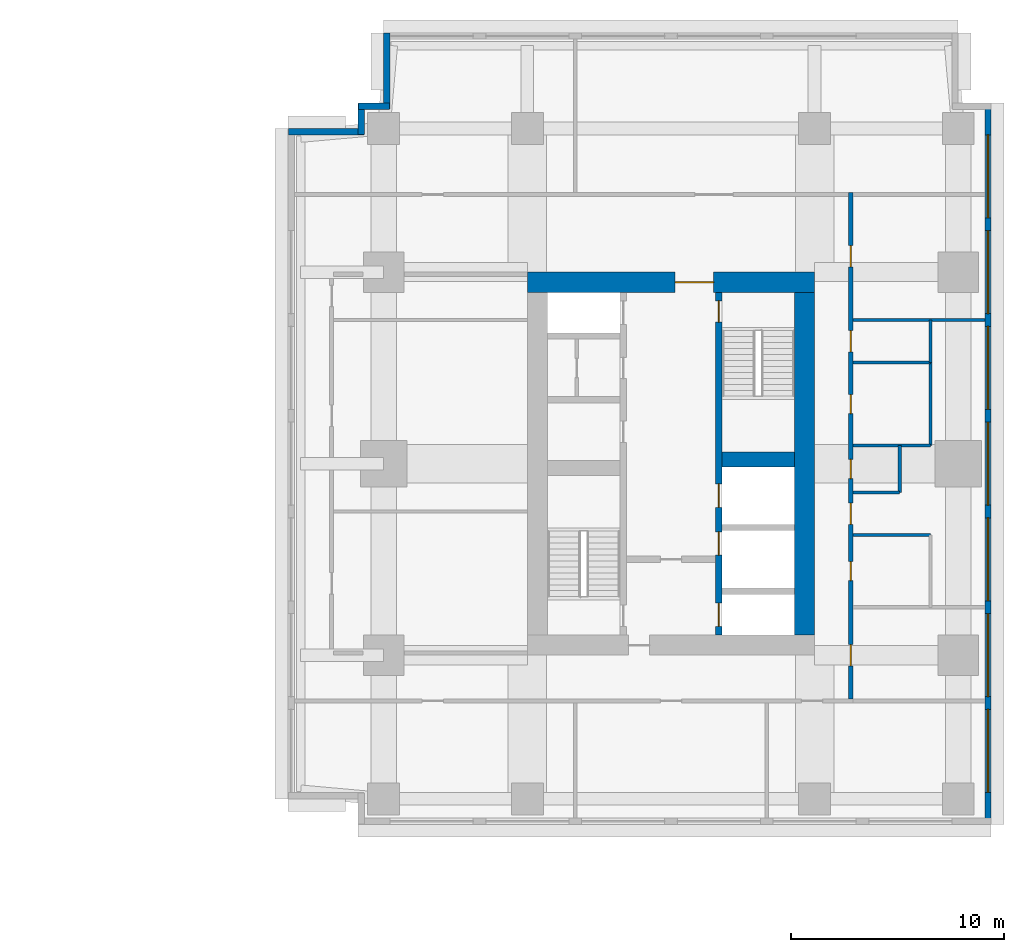
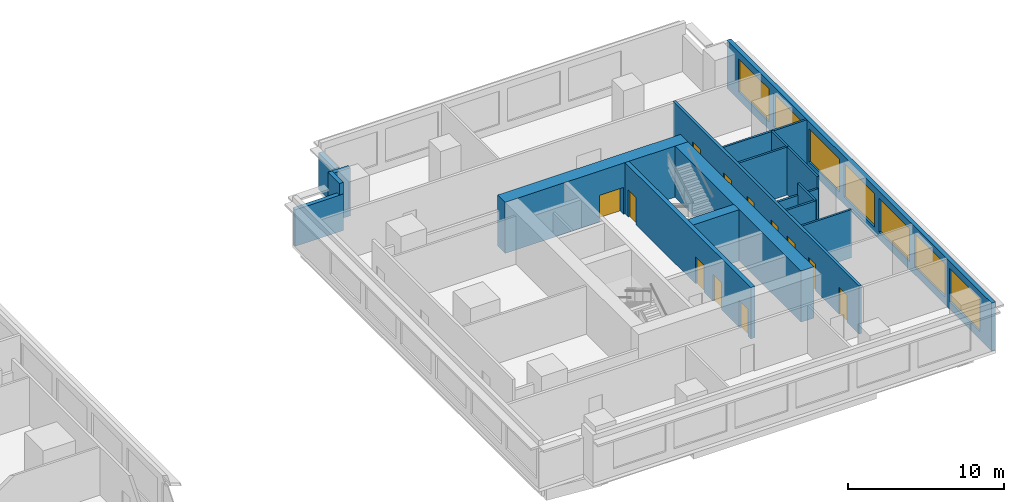
# One storey, part 7 of 10: 18 walls, 12 doors, 7 windows, 19 openings.
"""IFC4 building model written with IfcOpenShell, lengths in metres."""

from ifc_helpers import new_model, si_unit, direction, frame, frame_2d, origin, place, context, subcontext, project, spatial, rectangle, extrude, material, layer, layer_set, type_object, element, fill, save


model = new_model("IFC4")

# Units and contexts
model_context = context("Model", 3, precision=1e-05, world=origin(), true_north=direction((0.0, 1.0)))
body_context = subcontext(model_context, "Body", "Model", "MODEL_VIEW")
ifc_project = project(units=[si_unit("LENGTHUNIT", "METRE"), si_unit("AREAUNIT", "SQUARE_METRE"), si_unit("VOLUMEUNIT", "CUBIC_METRE"), si_unit("PLANEANGLEUNIT", "RADIAN"), si_unit("MASSUNIT", "GRAM", prefix="KILO")], contexts=[model_context])

# Site, building, storey
site_placement = place(None, origin())
site = spatial("IfcSite", under=ifc_project, at=site_placement, CompositionType="ELEMENT")
building_placement = place(site_placement, origin())
building = spatial("IfcBuilding", under=site, at=building_placement, Name="Namib Vertical Campus", CompositionType="ELEMENT")
storey_placement = place(building_placement, frame((0.0, 0.0, 141.0)))
storey = spatial("IfcBuildingStorey", under=building, at=storey_placement, Name="L33", CompositionType="ELEMENT", Elevation=141.0)

# Wall, openings, doors
ifc_material_1 = material(Name="Concrete C60/75", Category="concrete")
ifc_layer_1 = layer(ifc_material_1, 0.300048828125)
ifc_layer_set_1 = layer_set([ifc_layer_1], Name="Concrete C60/75")
wall_type_1 = type_object("IfcWallType", Name="Core inner wall 300", PredefinedType="SHEAR", material=ifc_layer_set_1)
wall_1_placement = place(storey_placement, frame((83.25, 12.199951171875, 0.0), z_axis=(0.0, 0.0, 1.0), x_axis=(0.0, 1.0, 0.0)))
wall_1 = element("IfcWall", 1, at=wall_1_placement, inside=storey, type_object=wall_type_1, Name="Core inner wall B L33 W2", PredefinedType="SHEAR", context=body_context, shape_type="SweptSolid", body=[
    extrude(rectangle(XDim=16.10009765625, YDim=0.300048828125, at=frame_2d((8.050048828125, 0.0))), origin(), (0.0, 0.0, 1.0), 4.0),
])
opening_1_placement = place(wall_1_placement, frame((14.699951171875, 0.0, 0.0)))
opening_1 = element("IfcOpeningElement", 2, at=opening_1_placement, cuts=wall_1, Name="Opening FD1", PredefinedType="OPENING", context=body_context, shape_type="SweptSolid", body=[
    extrude(rectangle(XDim=1.0, YDim=2.10009765625, at=frame_2d((0.5, 1.050048828125))), frame((0.0, 0.159912109375, 0.0), z_axis=(0.0, -1.0, 0.0), x_axis=(1.0, 0.0, 0.0)), (0.0, 0.0, 1.0), 0.320068359375),
])
opening_2_placement = place(wall_1_placement, frame((0.39990234375, 0.0, 0.0)))
opening_2 = element("IfcOpeningElement", 3, at=opening_2_placement, cuts=wall_1, Name="Opening LD1", PredefinedType="OPENING", context=body_context, shape_type="SweptSolid", body=[
    extrude(rectangle(XDim=1.10009765625, YDim=2.10009765625, at=frame_2d((0.550048828125, 1.050048828125))), frame((0.0, 0.159912109375, 0.0), z_axis=(0.0, -1.0, 0.0), x_axis=(1.0, 0.0, 0.0)), (0.0, 0.0, 1.0), 0.320068359375),
])
opening_3_placement = place(wall_1_placement, frame((3.75, 0.0, 0.0)))
opening_3 = element("IfcOpeningElement", 4, at=opening_3_placement, cuts=wall_1, Name="Opening LD1", PredefinedType="OPENING", context=body_context, shape_type="SweptSolid", body=[
    extrude(rectangle(XDim=1.10009765625, YDim=2.10009765625, at=frame_2d((0.550048828125, 1.050048828125))), frame((0.0, 0.159912109375, 0.0), z_axis=(0.0, -1.0, 0.0), x_axis=(1.0, 0.0, 0.0)), (0.0, 0.0, 1.0), 0.320068359375),
])
opening_4_placement = place(wall_1_placement, frame((6.0, 0.0, 0.0)))
opening_4 = element("IfcOpeningElement", 5, at=opening_4_placement, cuts=wall_1, Name="Opening LD1", PredefinedType="OPENING", context=body_context, shape_type="SweptSolid", body=[
    extrude(rectangle(XDim=1.10009765625, YDim=2.10009765625, at=frame_2d((0.550048828125, 1.050048828125))), frame((0.0, 0.159912109375, 0.0), z_axis=(0.0, -1.0, 0.0), x_axis=(1.0, 0.0, 0.0)), (0.0, 0.0, 1.0), 0.320068359375),
])
ifc_material_2 = material(Name="Steel fire door", Category="steel")
door_type_1 = type_object("IfcDoorType", Name="Fire door 1000x2100", OperationType="SINGLE_SWING_RIGHT", PredefinedType="DOOR", material=ifc_material_2)
door_1_placement = place(opening_1_placement, frame((1.0, 0.0, 0.0), z_axis=(0.0, 0.0, 1.0), x_axis=(-1.0, 0.0, 0.0)))
door_1 = element("IfcDoor", 6, at=door_1_placement, inside=storey, type_object=door_type_1, Name="Stair door FD1 B L33 S2", OperationType="SINGLE_SWING_LEFT", OverallHeight=2.10009765625, OverallWidth=1.0, PredefinedType="DOOR", context=body_context, shape_type="SweptSolid", body=[
    extrude(rectangle(XDim=1.0, YDim=2.10009765625, at=frame_2d((0.5, 1.050048828125))), frame((0.0, 0.02490234375, 0.0), z_axis=(0.0, -1.0, 0.0), x_axis=(1.0, 0.0, 0.0)), (0.0, 0.0, 1.0), 0.050048828125),
])
fill(opening_1, door_1)
ifc_material_3 = material(Name="Stainless steel lift door", Category="steel")
door_type_2 = type_object("IfcDoorType", Name="Lift landing door 1100x2100", OperationType="DOUBLE_DOOR_SLIDING", PredefinedType="DOOR", material=ifc_material_3)
door_2_placement = place(opening_2_placement, origin())
door_2 = element("IfcDoor", 7, at=door_2_placement, inside=storey, type_object=door_type_2, Name="Lift landing door LD1 B-FL1 L33", OperationType="DOUBLE_DOOR_SLIDING", OverallHeight=2.10009765625, OverallWidth=1.10009765625, PredefinedType="DOOR", context=body_context, shape_type="SweptSolid", body=[
    extrude(rectangle(XDim=1.10009765625, YDim=2.10009765625, at=frame_2d((0.550048828125, 1.050048828125))), frame((0.0, 0.02490234375, 0.0), z_axis=(0.0, -1.0, 0.0), x_axis=(1.0, 0.0, 0.0)), (0.0, 0.0, 1.0), 0.050048828125),
])
fill(opening_2, door_2)
door_3_placement = place(opening_3_placement, origin())
door_3 = element("IfcDoor", 8, at=door_3_placement, inside=storey, type_object=door_type_2, Name="Lift landing door LD1 B-P4 L33", OperationType="DOUBLE_DOOR_SLIDING", OverallHeight=2.10009765625, OverallWidth=1.10009765625, PredefinedType="DOOR", context=body_context, shape_type="SweptSolid", body=[
    extrude(rectangle(XDim=1.10009765625, YDim=2.10009765625, at=frame_2d((0.550048828125, 1.050048828125))), frame((0.0, 0.02490234375, 0.0), z_axis=(0.0, -1.0, 0.0), x_axis=(1.0, 0.0, 0.0)), (0.0, 0.0, 1.0), 0.050048828125),
])
fill(opening_3, door_3)
door_4_placement = place(opening_4_placement, origin())
door_4 = element("IfcDoor", 9, at=door_4_placement, inside=storey, type_object=door_type_2, Name="Lift landing door LD1 B-P5 L33", OperationType="DOUBLE_DOOR_SLIDING", OverallHeight=2.10009765625, OverallWidth=1.10009765625, PredefinedType="DOOR", context=body_context, shape_type="SweptSolid", body=[
    extrude(rectangle(XDim=1.10009765625, YDim=2.10009765625, at=frame_2d((0.550048828125, 1.050048828125))), frame((0.0, 0.02490234375, 0.0), z_axis=(0.0, -1.0, 0.0), x_axis=(1.0, 0.0, 0.0)), (0.0, 0.0, 1.0), 0.050048828125),
])
fill(opening_4, door_4)

# Walls
ifc_material_4 = material(Name="Concrete C60/75", Category="concrete")
ifc_layer_2 = layer(ifc_material_4, 0.699951171875)
ifc_layer_set_2 = layer_set([ifc_layer_2], Name="Concrete C60/75")
wall_type_2 = type_object("IfcWallType", Name="Core shear wall 700", PredefinedType="SHEAR", material=ifc_layer_set_2)
wall_2_placement = place(storey_placement, frame((83.39990234375, 20.449951171875, 0.0), z_axis=(0.0, 0.0, 1.0), x_axis=(1.0, 0.0, 0.0)))
element("IfcWall", 10, at=wall_2_placement, inside=storey, type_object=wall_type_2, Name="Core shear wall B L33 W7", PredefinedType="SHEAR", context=body_context, shape_type="SweptSolid", body=[
    extrude(rectangle(XDim=3.400146484375, YDim=0.699951171875, at=frame_2d((1.7001953125, 0.0))), origin(), (0.0, 0.0, 1.0), 4.0),
])
ifc_material_5 = material(Name="Concrete C60/75", Category="concrete")
ifc_layer_3 = layer(ifc_material_5, 0.949951171875)
ifc_layer_set_3 = layer_set([ifc_layer_3], Name="Concrete C60/75")
wall_type_3 = type_object("IfcWallType", Name="Core wall 950", PredefinedType="SHEAR", material=ifc_layer_set_3)
wall_3_placement = place(storey_placement, frame((87.27490234375, 12.199951171875, 0.0), z_axis=(0.0, 0.0, 1.0), x_axis=(0.0, 1.0, 0.0)))
element("IfcWall", 11, at=wall_3_placement, inside=storey, type_object=wall_type_3, Name="Core wall B L33 2", PredefinedType="SHEAR", context=body_context, shape_type="SweptSolid", body=[
    extrude(rectangle(XDim=16.10009765625, YDim=0.949951171875, at=frame_2d((8.050048828125, 0.0))), origin(), (0.0, 0.0, 1.0), 4.0),
])

# Wall, opening, door
wall_4_placement = place(storey_placement, frame((87.75, 28.77490234375, 0.0), z_axis=(0.0, 0.0, 1.0), x_axis=(-1.0, 0.0, 0.0)))
wall_4 = element("IfcWall", 12, at=wall_4_placement, inside=storey, type_object=wall_type_3, Name="Core wall B L33 3", PredefinedType="SHEAR", context=body_context, shape_type="SweptSolid", body=[
    extrude(rectangle(XDim=13.5, YDim=0.949951171875, at=frame_2d((6.75, 0.0))), origin(), (0.0, 0.0, 1.0), 4.0),
])
opening_5_placement = place(wall_4_placement, frame((4.75, 0.0, 0.0)))
opening_5 = element("IfcOpeningElement", 13, at=opening_5_placement, cuts=wall_4, Name="Opening FD2", PredefinedType="OPENING", context=body_context, shape_type="SweptSolid", body=[
    extrude(rectangle(XDim=1.800048828125, YDim=2.10009765625, at=frame_2d((0.89990234375, 1.050048828125))), frame((0.0, 0.48486328125, 0.0), z_axis=(0.0, -1.0, 0.0), x_axis=(1.0, 0.0, 0.0)), (0.0, 0.0, 1.0), 0.969970703125),
])
ifc_material_6 = material(Name="Steel fire door", Category="steel")
door_type_3 = type_object("IfcDoorType", Name="Fire door double 1800x2100", OperationType="DOUBLE_DOOR_SINGLE_SWING", PredefinedType="DOOR", material=ifc_material_6)
door_5_placement = place(opening_5_placement, origin())
door_5 = element("IfcDoor", 14, at=door_5_placement, inside=storey, type_object=door_type_3, Name="Lift lobby door FD2 B L33", OperationType="DOUBLE_DOOR_SINGLE_SWING", OverallHeight=2.10009765625, OverallWidth=1.800048828125, PredefinedType="DOOR", context=body_context, shape_type="SweptSolid", body=[
    extrude(rectangle(XDim=1.800048828125, YDim=2.10009765625, at=frame_2d((0.89990234375, 1.050048828125))), frame((0.0, 0.02490234375, 0.0), z_axis=(0.0, -1.0, 0.0), x_axis=(1.0, 0.0, 0.0)), (0.0, 0.0, 1.0), 0.050048828125),
])
fill(opening_5, door_5)

# Wall, openings, doors
ifc_material_7 = material(Name="Concrete masonry", Category="masonry")
ifc_layer_4 = layer(ifc_material_7, 0.199951171875)
ifc_layer_set_4 = layer_set([ifc_layer_4], Name="Corridor wall 200")
wall_type_4 = type_object("IfcWallType", Name="Corridor wall 200", PredefinedType="SOLIDWALL", material=ifc_layer_set_4)
wall_5_placement = place(storey_placement, frame((89.449951171875, 9.199951171875, 0.0), z_axis=(0.0, 0.0, 1.0), x_axis=(0.0, 1.0, 0.0)))
wall_5 = element("IfcWall", 15, at=wall_5_placement, inside=storey, type_object=wall_type_4, Name="Corridor wall B L33 CE", PredefinedType="SOLIDWALL", context=body_context, shape_type="SweptSolid", body=[
    extrude(rectangle(XDim=23.800048828125, YDim=0.199951171875, at=frame_2d((11.89990234375, 0.0))), origin(), (0.0, 0.0, 1.0), 3.75),
])
opening_6_placement = place(wall_5_placement, frame((1.550048828125, 0.0, 0.0)))
opening_6 = element("IfcOpeningElement", 16, at=opening_6_placement, cuts=wall_5, Name="Opening CD1", PredefinedType="OPENING", context=body_context, shape_type="SweptSolid", body=[
    extrude(rectangle(XDim=1.0, YDim=2.10009765625, at=frame_2d((0.5, 1.050048828125))), frame((0.0, 0.10986328125, 0.0), z_axis=(0.0, -1.0, 0.0), x_axis=(1.0, 0.0, 0.0)), (0.0, 0.0, 1.0), 0.219970703125),
])
opening_7_placement = place(wall_5_placement, frame((5.550048828125, 0.0, 0.0)))
opening_7 = element("IfcOpeningElement", 17, at=opening_7_placement, cuts=wall_5, Name="Opening CD3", PredefinedType="OPENING", context=body_context, shape_type="SweptSolid", body=[
    extrude(rectangle(XDim=0.89990234375, YDim=2.10009765625, at=frame_2d((0.449951171875, 1.050048828125))), frame((0.0, 0.10986328125, 0.0), z_axis=(0.0, -1.0, 0.0), x_axis=(1.0, 0.0, 0.0)), (0.0, 0.0, 1.0), 0.219970703125),
])
opening_8_placement = place(wall_5_placement, frame((10.35009765625, 0.0, 0.0)))
opening_8 = element("IfcOpeningElement", 18, at=opening_8_placement, cuts=wall_5, Name="Opening CD3", PredefinedType="OPENING", context=body_context, shape_type="SweptSolid", body=[
    extrude(rectangle(XDim=0.89990234375, YDim=2.10009765625, at=frame_2d((0.449951171875, 1.050048828125))), frame((0.0, 0.10986328125, 0.0), z_axis=(0.0, -1.0, 0.0), x_axis=(1.0, 0.0, 0.0)), (0.0, 0.0, 1.0), 0.219970703125),
])
opening_9_placement = place(wall_5_placement, frame((13.39990234375, 0.0, 0.0)))
opening_9 = element("IfcOpeningElement", 19, at=opening_9_placement, cuts=wall_5, Name="Opening CD3", PredefinedType="OPENING", context=body_context, shape_type="SweptSolid", body=[
    extrude(rectangle(XDim=0.89990234375, YDim=2.10009765625, at=frame_2d((0.449951171875, 1.050048828125))), frame((0.0, 0.10986328125, 0.0), z_axis=(0.0, -1.0, 0.0), x_axis=(1.0, 0.0, 0.0)), (0.0, 0.0, 1.0), 0.219970703125),
])
opening_10_placement = place(wall_5_placement, frame((16.300048828125, 0.0, 0.0)))
opening_10 = element("IfcOpeningElement", 20, at=opening_10_placement, cuts=wall_5, Name="Opening CD1", PredefinedType="OPENING", context=body_context, shape_type="SweptSolid", body=[
    extrude(rectangle(XDim=1.0, YDim=2.10009765625, at=frame_2d((0.5, 1.050048828125))), frame((0.0, 0.10986328125, 0.0), z_axis=(0.0, -1.0, 0.0), x_axis=(1.0, 0.0, 0.0)), (0.0, 0.0, 1.0), 0.219970703125),
])
opening_11_placement = place(wall_5_placement, frame((8.199951171875, 0.0, 0.0)))
opening_11 = element("IfcOpeningElement", 21, at=opening_11_placement, cuts=wall_5, Name="Opening CD1", PredefinedType="OPENING", context=body_context, shape_type="SweptSolid", body=[
    extrude(rectangle(XDim=1.0, YDim=2.10009765625, at=frame_2d((0.5, 1.050048828125))), frame((0.0, 0.10986328125, 0.0), z_axis=(0.0, -1.0, 0.0), x_axis=(1.0, 0.0, 0.0)), (0.0, 0.0, 1.0), 0.219970703125),
])
opening_12_placement = place(wall_5_placement, frame((20.300048828125, 0.0, 0.0)))
opening_12 = element("IfcOpeningElement", 22, at=opening_12_placement, cuts=wall_5, Name="Opening CD1", PredefinedType="OPENING", context=body_context, shape_type="SweptSolid", body=[
    extrude(rectangle(XDim=1.0, YDim=2.10009765625, at=frame_2d((0.5, 1.050048828125))), frame((0.0, 0.10986328125, 0.0), z_axis=(0.0, -1.0, 0.0), x_axis=(1.0, 0.0, 0.0)), (0.0, 0.0, 1.0), 0.219970703125),
])
ifc_material_8 = material(Name="Timber fire door leaf", Category="wood")
door_type_4 = type_object("IfcDoorType", Name="Corridor door 1000x2100 20 min", OperationType="SINGLE_SWING_LEFT", PredefinedType="DOOR", material=ifc_material_8)
door_6_placement = place(opening_6_placement, frame((1.0, 0.0, 0.0), z_axis=(0.0, 0.0, 1.0), x_axis=(-1.0, 0.0, 0.0)))
door_6 = element("IfcDoor", 23, at=door_6_placement, inside=storey, type_object=door_type_4, Name="Door CD1 B33-04", OperationType="SINGLE_SWING_RIGHT", OverallHeight=2.10009765625, OverallWidth=1.0, PredefinedType="DOOR", context=body_context, shape_type="SweptSolid", body=[
    extrude(rectangle(XDim=1.0, YDim=2.10009765625, at=frame_2d((0.5, 1.050048828125))), frame((0.0, 0.02490234375, 0.0), z_axis=(0.0, -1.0, 0.0), x_axis=(1.0, 0.0, 0.0)), (0.0, 0.0, 1.0), 0.050048828125),
])
fill(opening_6, door_6)
door_7_placement = place(opening_10_placement, frame((1.0, 0.0, 0.0), z_axis=(0.0, 0.0, 1.0), x_axis=(-1.0, 0.0, 0.0)))
door_7 = element("IfcDoor", 24, at=door_7_placement, inside=storey, type_object=door_type_4, Name="Door CD1 B33-08", OperationType="SINGLE_SWING_RIGHT", OverallHeight=2.10009765625, OverallWidth=1.0, PredefinedType="DOOR", context=body_context, shape_type="SweptSolid", body=[
    extrude(rectangle(XDim=1.0, YDim=2.10009765625, at=frame_2d((0.5, 1.050048828125))), frame((0.0, 0.02490234375, 0.0), z_axis=(0.0, -1.0, 0.0), x_axis=(1.0, 0.0, 0.0)), (0.0, 0.0, 1.0), 0.050048828125),
])
fill(opening_10, door_7)
door_8_placement = place(opening_11_placement, frame((1.0, 0.0, 0.0), z_axis=(0.0, 0.0, 1.0), x_axis=(-1.0, 0.0, 0.0)))
door_8 = element("IfcDoor", 25, at=door_8_placement, inside=storey, type_object=door_type_4, Name="Door CD1 B33-09", OperationType="SINGLE_SWING_RIGHT", OverallHeight=2.10009765625, OverallWidth=1.0, PredefinedType="DOOR", context=body_context, shape_type="SweptSolid", body=[
    extrude(rectangle(XDim=1.0, YDim=2.10009765625, at=frame_2d((0.5, 1.050048828125))), frame((0.0, 0.02490234375, 0.0), z_axis=(0.0, -1.0, 0.0), x_axis=(1.0, 0.0, 0.0)), (0.0, 0.0, 1.0), 0.050048828125),
])
fill(opening_11, door_8)
door_9_placement = place(opening_12_placement, frame((1.0, 0.0, 0.0), z_axis=(0.0, 0.0, 1.0), x_axis=(-1.0, 0.0, 0.0)))
door_9 = element("IfcDoor", 26, at=door_9_placement, inside=storey, type_object=door_type_4, Name="Door CD1 B33-10", OperationType="SINGLE_SWING_RIGHT", OverallHeight=2.10009765625, OverallWidth=1.0, PredefinedType="DOOR", context=body_context, shape_type="SweptSolid", body=[
    extrude(rectangle(XDim=1.0, YDim=2.10009765625, at=frame_2d((0.5, 1.050048828125))), frame((0.0, 0.02490234375, 0.0), z_axis=(0.0, -1.0, 0.0), x_axis=(1.0, 0.0, 0.0)), (0.0, 0.0, 1.0), 0.050048828125),
])
fill(opening_12, door_9)
ifc_material_9 = material(Name="Timber fire door leaf", Category="wood")
door_type_5 = type_object("IfcDoorType", Name="Corridor toilet door 900x2100 20 min", OperationType="SINGLE_SWING_LEFT", PredefinedType="DOOR", material=ifc_material_9)
door_10_placement = place(opening_7_placement, frame((0.89990234375, 0.0, 0.0), z_axis=(0.0, 0.0, 1.0), x_axis=(-1.0, 0.0, 0.0)))
door_10 = element("IfcDoor", 27, at=door_10_placement, inside=storey, type_object=door_type_5, Name="Door CD3 B33-05", OperationType="SINGLE_SWING_RIGHT", OverallHeight=2.10009765625, OverallWidth=0.89990234375, PredefinedType="DOOR", context=body_context, shape_type="SweptSolid", body=[
    extrude(rectangle(XDim=0.89990234375, YDim=2.10009765625, at=frame_2d((0.449951171875, 1.050048828125))), frame((0.0, 0.02490234375, 0.0), z_axis=(0.0, -1.0, 0.0), x_axis=(1.0, 0.0, 0.0)), (0.0, 0.0, 1.0), 0.050048828125),
])
fill(opening_7, door_10)
door_11_placement = place(opening_8_placement, frame((0.89990234375, 0.0, 0.0), z_axis=(0.0, 0.0, 1.0), x_axis=(-1.0, 0.0, 0.0)))
door_11 = element("IfcDoor", 28, at=door_11_placement, inside=storey, type_object=door_type_5, Name="Door CD3 B33-06", OperationType="SINGLE_SWING_RIGHT", OverallHeight=2.10009765625, OverallWidth=0.89990234375, PredefinedType="DOOR", context=body_context, shape_type="SweptSolid", body=[
    extrude(rectangle(XDim=0.89990234375, YDim=2.10009765625, at=frame_2d((0.449951171875, 1.050048828125))), frame((0.0, 0.02490234375, 0.0), z_axis=(0.0, -1.0, 0.0), x_axis=(1.0, 0.0, 0.0)), (0.0, 0.0, 1.0), 0.050048828125),
])
fill(opening_8, door_11)
door_12_placement = place(opening_9_placement, frame((0.89990234375, 0.0, 0.0), z_axis=(0.0, 0.0, 1.0), x_axis=(-1.0, 0.0, 0.0)))
door_12 = element("IfcDoor", 29, at=door_12_placement, inside=storey, type_object=door_type_5, Name="Door CD3 B33-07", OperationType="SINGLE_SWING_RIGHT", OverallHeight=2.10009765625, OverallWidth=0.89990234375, PredefinedType="DOOR", context=body_context, shape_type="SweptSolid", body=[
    extrude(rectangle(XDim=0.89990234375, YDim=2.10009765625, at=frame_2d((0.449951171875, 1.050048828125))), frame((0.0, 0.02490234375, 0.0), z_axis=(0.0, -1.0, 0.0), x_axis=(1.0, 0.0, 0.0)), (0.0, 0.0, 1.0), 0.050048828125),
])
fill(opening_9, door_12)

# Wall, openings, windows
ifc_material_10 = material(Name="Concrete C40/50", Category="concrete")
ifc_layer_5 = layer(ifc_material_10, 0.300048828125)
ifc_layer_set_5 = layer_set([ifc_layer_5], Name="Concrete C40/50")
wall_type_5 = type_object("IfcWallType", Name="External wall 300 board-marked concrete", PredefinedType="STANDARD", material=ifc_layer_set_5)
wall_6_placement = place(storey_placement, frame((95.89990234375, 3.320068359375, 0.0), z_axis=(0.0, 0.0, 1.0), x_axis=(0.0, 1.0, 0.0)))
wall_6 = element("IfcWall", 30, at=wall_6_placement, inside=storey, type_object=wall_type_5, Name="External wall L33 F04", PredefinedType="STANDARD", context=body_context, shape_type="SweptSolid", body=[
    extrude(rectangle(XDim=33.85986328125, YDim=0.300048828125, at=frame_2d((16.929931640625, 0.0))), origin(), (0.0, 0.0, 1.0), 3.75),
])
opening_13_placement = place(wall_6_placement, frame((1.47998046875, 0.0, 0.60009765625)))
opening_13 = element("IfcOpeningElement", 31, at=opening_13_placement, cuts=wall_6, Name="Opening W2", PredefinedType="OPENING", context=body_context, shape_type="SweptSolid", body=[
    extrude(rectangle(XDim=3.89990234375, YDim=2.60009765625, at=frame_2d((1.949951171875, 1.300048828125))), frame((0.0, 0.159912109375, 0.0), z_axis=(0.0, -1.0, 0.0), x_axis=(1.0, 0.0, 0.0)), (0.0, 0.0, 1.0), 0.320068359375),
])
opening_14_placement = place(wall_6_placement, frame((5.97998046875, 0.0, 0.60009765625)))
opening_14 = element("IfcOpeningElement", 32, at=opening_14_placement, cuts=wall_6, Name="Opening W2", PredefinedType="OPENING", context=body_context, shape_type="SweptSolid", body=[
    extrude(rectangle(XDim=3.89990234375, YDim=2.60009765625, at=frame_2d((1.949951171875, 1.300048828125))), frame((0.0, 0.159912109375, 0.0), z_axis=(0.0, -1.0, 0.0), x_axis=(1.0, 0.0, 0.0)), (0.0, 0.0, 1.0), 0.320068359375),
])
opening_15_placement = place(wall_6_placement, frame((10.47998046875, 0.0, 0.60009765625)))
opening_15 = element("IfcOpeningElement", 33, at=opening_15_placement, cuts=wall_6, Name="Opening W2", PredefinedType="OPENING", context=body_context, shape_type="SweptSolid", body=[
    extrude(rectangle(XDim=3.89990234375, YDim=2.60009765625, at=frame_2d((1.949951171875, 1.300048828125))), frame((0.0, 0.159912109375, 0.0), z_axis=(0.0, -1.0, 0.0), x_axis=(1.0, 0.0, 0.0)), (0.0, 0.0, 1.0), 0.320068359375),
])
opening_16_placement = place(wall_6_placement, frame((14.97998046875, 0.0, 0.60009765625)))
opening_16 = element("IfcOpeningElement", 34, at=opening_16_placement, cuts=wall_6, Name="Opening W2", PredefinedType="OPENING", context=body_context, shape_type="SweptSolid", body=[
    extrude(rectangle(XDim=3.89990234375, YDim=2.60009765625, at=frame_2d((1.949951171875, 1.300048828125))), frame((0.0, 0.159912109375, 0.0), z_axis=(0.0, -1.0, 0.0), x_axis=(1.0, 0.0, 0.0)), (0.0, 0.0, 1.0), 0.320068359375),
])
opening_17_placement = place(wall_6_placement, frame((19.47998046875, 0.0, 0.60009765625)))
opening_17 = element("IfcOpeningElement", 35, at=opening_17_placement, cuts=wall_6, Name="Opening W2", PredefinedType="OPENING", context=body_context, shape_type="SweptSolid", body=[
    extrude(rectangle(XDim=3.89990234375, YDim=2.60009765625, at=frame_2d((1.949951171875, 1.300048828125))), frame((0.0, 0.159912109375, 0.0), z_axis=(0.0, -1.0, 0.0), x_axis=(1.0, 0.0, 0.0)), (0.0, 0.0, 1.0), 0.320068359375),
])
opening_18_placement = place(wall_6_placement, frame((23.97998046875, 0.0, 0.60009765625)))
opening_18 = element("IfcOpeningElement", 36, at=opening_18_placement, cuts=wall_6, Name="Opening W2", PredefinedType="OPENING", context=body_context, shape_type="SweptSolid", body=[
    extrude(rectangle(XDim=3.89990234375, YDim=2.60009765625, at=frame_2d((1.949951171875, 1.300048828125))), frame((0.0, 0.159912109375, 0.0), z_axis=(0.0, -1.0, 0.0), x_axis=(1.0, 0.0, 0.0)), (0.0, 0.0, 1.0), 0.320068359375),
])
opening_19_placement = place(wall_6_placement, frame((28.47998046875, 0.0, 0.60009765625)))
opening_19 = element("IfcOpeningElement", 37, at=opening_19_placement, cuts=wall_6, Name="Opening W2", PredefinedType="OPENING", context=body_context, shape_type="SweptSolid", body=[
    extrude(rectangle(XDim=3.89990234375, YDim=2.60009765625, at=frame_2d((1.949951171875, 1.300048828125))), frame((0.0, 0.159912109375, 0.0), z_axis=(0.0, -1.0, 0.0), x_axis=(1.0, 0.0, 0.0)), (0.0, 0.0, 1.0), 0.320068359375),
])
ifc_material_11 = material(Name="Dark tinted glass in black aluminium frame", Category="aluminium")
window_type = type_object("IfcWindowType", Name="Ribbon window 3900x2600", PartitioningType="SINGLE_PANEL", PredefinedType="WINDOW", material=ifc_material_11)
window_1_placement = place(opening_13_placement, origin())
window_1 = element("IfcWindow", 38, at=window_1_placement, inside=storey, type_object=window_type, Name="Window W2 L33 F04-1", OverallHeight=2.60009765625, OverallWidth=3.89990234375, PartitioningType="SINGLE_PANEL", PredefinedType="WINDOW", context=body_context, shape_type="SweptSolid", body=[
    extrude(rectangle(XDim=3.89990234375, YDim=2.60009765625, at=frame_2d((1.949951171875, 1.300048828125))), frame((0.0, 0.030029296875, 0.0), z_axis=(0.0, -1.0, 0.0), x_axis=(1.0, 0.0, 0.0)), (0.0, 0.0, 1.0), 0.06005859375),
])
fill(opening_13, window_1)
window_2_placement = place(opening_14_placement, origin())
window_2 = element("IfcWindow", 39, at=window_2_placement, inside=storey, type_object=window_type, Name="Window W2 L33 F04-2", OverallHeight=2.60009765625, OverallWidth=3.89990234375, PartitioningType="SINGLE_PANEL", PredefinedType="WINDOW", context=body_context, shape_type="SweptSolid", body=[
    extrude(rectangle(XDim=3.89990234375, YDim=2.60009765625, at=frame_2d((1.949951171875, 1.300048828125))), frame((0.0, 0.030029296875, 0.0), z_axis=(0.0, -1.0, 0.0), x_axis=(1.0, 0.0, 0.0)), (0.0, 0.0, 1.0), 0.06005859375),
])
fill(opening_14, window_2)
window_3_placement = place(opening_15_placement, origin())
window_3 = element("IfcWindow", 40, at=window_3_placement, inside=storey, type_object=window_type, Name="Window W2 L33 F04-3", OverallHeight=2.60009765625, OverallWidth=3.89990234375, PartitioningType="SINGLE_PANEL", PredefinedType="WINDOW", context=body_context, shape_type="SweptSolid", body=[
    extrude(rectangle(XDim=3.89990234375, YDim=2.60009765625, at=frame_2d((1.949951171875, 1.300048828125))), frame((0.0, 0.030029296875, 0.0), z_axis=(0.0, -1.0, 0.0), x_axis=(1.0, 0.0, 0.0)), (0.0, 0.0, 1.0), 0.06005859375),
])
fill(opening_15, window_3)
window_4_placement = place(opening_16_placement, origin())
window_4 = element("IfcWindow", 41, at=window_4_placement, inside=storey, type_object=window_type, Name="Window W2 L33 F04-4", OverallHeight=2.60009765625, OverallWidth=3.89990234375, PartitioningType="SINGLE_PANEL", PredefinedType="WINDOW", context=body_context, shape_type="SweptSolid", body=[
    extrude(rectangle(XDim=3.89990234375, YDim=2.60009765625, at=frame_2d((1.949951171875, 1.300048828125))), frame((0.0, 0.030029296875, 0.0), z_axis=(0.0, -1.0, 0.0), x_axis=(1.0, 0.0, 0.0)), (0.0, 0.0, 1.0), 0.06005859375),
])
fill(opening_16, window_4)
window_5_placement = place(opening_17_placement, origin())
window_5 = element("IfcWindow", 42, at=window_5_placement, inside=storey, type_object=window_type, Name="Window W2 L33 F04-5", OverallHeight=2.60009765625, OverallWidth=3.89990234375, PartitioningType="SINGLE_PANEL", PredefinedType="WINDOW", context=body_context, shape_type="SweptSolid", body=[
    extrude(rectangle(XDim=3.89990234375, YDim=2.60009765625, at=frame_2d((1.949951171875, 1.300048828125))), frame((0.0, 0.030029296875, 0.0), z_axis=(0.0, -1.0, 0.0), x_axis=(1.0, 0.0, 0.0)), (0.0, 0.0, 1.0), 0.06005859375),
])
fill(opening_17, window_5)
window_6_placement = place(opening_18_placement, origin())
window_6 = element("IfcWindow", 43, at=window_6_placement, inside=storey, type_object=window_type, Name="Window W2 L33 F04-6", OverallHeight=2.60009765625, OverallWidth=3.89990234375, PartitioningType="SINGLE_PANEL", PredefinedType="WINDOW", context=body_context, shape_type="SweptSolid", body=[
    extrude(rectangle(XDim=3.89990234375, YDim=2.60009765625, at=frame_2d((1.949951171875, 1.300048828125))), frame((0.0, 0.030029296875, 0.0), z_axis=(0.0, -1.0, 0.0), x_axis=(1.0, 0.0, 0.0)), (0.0, 0.0, 1.0), 0.06005859375),
])
fill(opening_18, window_6)
window_7_placement = place(opening_19_placement, origin())
window_7 = element("IfcWindow", 44, at=window_7_placement, inside=storey, type_object=window_type, Name="Window W2 L33 F04-7", OverallHeight=2.60009765625, OverallWidth=3.89990234375, PartitioningType="SINGLE_PANEL", PredefinedType="WINDOW", context=body_context, shape_type="SweptSolid", body=[
    extrude(rectangle(XDim=3.89990234375, YDim=2.60009765625, at=frame_2d((1.949951171875, 1.300048828125))), frame((0.0, 0.030029296875, 0.0), z_axis=(0.0, -1.0, 0.0), x_axis=(1.0, 0.0, 0.0)), (0.0, 0.0, 1.0), 0.06005859375),
])
fill(opening_19, window_7)

# Walls
wall_7_placement = place(storey_placement, frame((67.64990234375, 40.47998046875, 0.0), z_axis=(0.0, 0.0, 1.0), x_axis=(0.0, -1.0, 0.0)))
element("IfcWall", 45, at=wall_7_placement, inside=storey, type_object=wall_type_5, Name="External wall L33 F08", PredefinedType="STANDARD", context=body_context, shape_type="SweptSolid", body=[
    extrude(rectangle(XDim=3.56005859375, YDim=0.300048828125, at=frame_2d((1.780029296875, 0.0))), origin(), (0.0, 0.0, 1.0), 2.85009765625),
])
for number, where, z_axis, x_axis, name in (
    (46, (67.780029296875, 37.050048828125, 0.0), (0.0, 0.0, 1.0), (-1.0, 0.0, 0.0), "External wall L33 F09"),
    (47, (66.449951171875, 37.179931640625, 0.0), (0.0, 0.0, 1.0), (0.0, -1.0, 0.0), "External wall L33 F10"),
):
    element("IfcWall", number, at=place(storey_placement, frame(where, z_axis=z_axis, x_axis=x_axis)), inside=storey, type_object=wall_type_5, Name=name, PredefinedType="STANDARD", context=body_context, shape_type="SweptSolid", body=[
        extrude(rectangle(XDim=1.4599609375, YDim=0.300048828125, at=frame_2d((0.72998046875, 0.0))), origin(), (0.0, 0.0, 1.0), 3.75),
    ])
wall_8_placement = place(storey_placement, frame((66.580078125, 35.85009765625, 0.0), z_axis=(0.0, 0.0, 1.0), x_axis=(-1.0, 0.0, 0.0)))
element("IfcWall", 48, at=wall_8_placement, inside=storey, type_object=wall_type_5, Name="External wall L33 F11", PredefinedType="STANDARD", context=body_context, shape_type="SweptSolid", body=[
    extrude(rectangle(XDim=3.56005859375, YDim=0.300048828125, at=frame_2d((1.780029296875, 0.0))), origin(), (0.0, 0.0, 1.0), 2.85009765625),
])
ifc_material_12 = material(Name="Gypsum board on steel studs", Category="steel")
ifc_layer_6 = layer(ifc_material_12, 0.14990234375)
ifc_layer_set_6 = layer_set([ifc_layer_6], Name="Gypsum board on steel studs")
wall_type_6 = type_object("IfcWallType", Name="Partition 150", PredefinedType="PARTITIONING", material=ifc_layer_set_6)
wall_9_placement = place(storey_placement, frame((89.550048828125, 27.0, 0.0), z_axis=(0.0, 0.0, 1.0), x_axis=(1.0, 0.0, 0.0)))
element("IfcWall", 49, at=wall_9_placement, inside=storey, type_object=wall_type_6, Name="Partition B L33 PE2", PredefinedType="PARTITIONING", context=body_context, shape_type="SweptSolid", body=[
    extrude(rectangle(XDim=6.199951171875, YDim=0.14990234375, at=frame_2d((3.10009765625, 0.0))), origin(), (0.0, 0.0, 1.0), 3.75),
])
wall_10_placement = place(storey_placement, frame((89.550048828125, 16.89990234375, 0.0), z_axis=(0.0, 0.0, 1.0), x_axis=(1.0, 0.0, 0.0)))
element("IfcWall", 50, at=wall_10_placement, inside=storey, type_object=wall_type_6, Name="Partition B L33 WR1", PredefinedType="PARTITIONING", context=body_context, shape_type="SweptSolid", body=[
    extrude(rectangle(XDim=3.64990234375, YDim=0.14990234375, at=frame_2d((1.824951171875, 0.0))), origin(), (0.0, 0.0, 1.0), 3.75),
])
wall_11_placement = place(storey_placement, frame((89.550048828125, 18.89990234375, 0.0), z_axis=(0.0, 0.0, 1.0), x_axis=(1.0, 0.0, 0.0)))
element("IfcWall", 51, at=wall_11_placement, inside=storey, type_object=wall_type_6, Name="Partition B L33 WR2", PredefinedType="PARTITIONING", context=body_context, shape_type="SweptSolid", body=[
    extrude(rectangle(XDim=2.199951171875, YDim=0.14990234375, at=frame_2d((1.10009765625, 0.0))), origin(), (0.0, 0.0, 1.0), 3.75),
])
wall_12_placement = place(storey_placement, frame((89.550048828125, 21.10009765625, 0.0), z_axis=(0.0, 0.0, 1.0), x_axis=(1.0, 0.0, 0.0)))
element("IfcWall", 52, at=wall_12_placement, inside=storey, type_object=wall_type_6, Name="Partition B L33 WR3", PredefinedType="PARTITIONING", context=body_context, shape_type="SweptSolid", body=[
    extrude(rectangle(XDim=3.64990234375, YDim=0.14990234375, at=frame_2d((1.824951171875, 0.0))), origin(), (0.0, 0.0, 1.0), 2.85009765625),
])
wall_13_placement = place(storey_placement, frame((89.550048828125, 25.0, 0.0), z_axis=(0.0, 0.0, 1.0), x_axis=(1.0, 0.0, 0.0)))
element("IfcWall", 53, at=wall_13_placement, inside=storey, type_object=wall_type_6, Name="Partition B L33 WR4", PredefinedType="PARTITIONING", context=body_context, shape_type="SweptSolid", body=[
    extrude(rectangle(XDim=3.64990234375, YDim=0.14990234375, at=frame_2d((1.824951171875, 0.0))), origin(), (0.0, 0.0, 1.0), 3.75),
])
wall_14_placement = place(storey_placement, frame((91.75, 18.89990234375, 0.0), z_axis=(0.0, 0.0, 1.0), x_axis=(0.0, 1.0, 0.0)))
element("IfcWall", 54, at=wall_14_placement, inside=storey, type_object=wall_type_6, Name="Partition B L33 WB2", PredefinedType="PARTITIONING", context=body_context, shape_type="SweptSolid", body=[
    extrude(rectangle(XDim=2.2001953125, YDim=0.14990234375, at=frame_2d((1.10009765625, 0.0))), origin(), (0.0, 0.0, 1.0), 3.75),
])
wall_15_placement = place(storey_placement, frame((93.199951171875, 21.10009765625, 0.0), z_axis=(0.0, 0.0, 1.0), x_axis=(0.0, 1.0, 0.0)))
element("IfcWall", 55, at=wall_15_placement, inside=storey, type_object=wall_type_6, Name="Partition B L33 WB3", PredefinedType="PARTITIONING", context=body_context, shape_type="SweptSolid", body=[
    extrude(rectangle(XDim=3.89990234375, YDim=0.14990234375, at=frame_2d((1.949951171875, 0.0))), origin(), (0.0, 0.0, 1.0), 3.75),
])
wall_16_placement = place(storey_placement, frame((93.199951171875, 25.0, 0.0), z_axis=(0.0, 0.0, 1.0), x_axis=(0.0, 1.0, 0.0)))
element("IfcWall", 56, at=wall_16_placement, inside=storey, type_object=wall_type_6, Name="Partition B L33 WB4", PredefinedType="PARTITIONING", context=body_context, shape_type="SweptSolid", body=[
    extrude(rectangle(XDim=2.0, YDim=0.14990234375, at=frame_2d((1.0, 0.0))), origin(), (0.0, 0.0, 1.0), 3.75),
])

save(model, "model.ifc")
